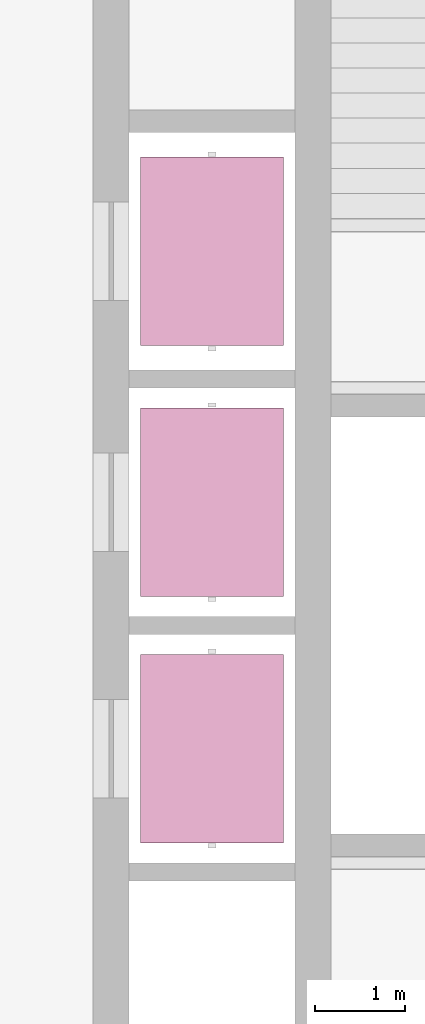
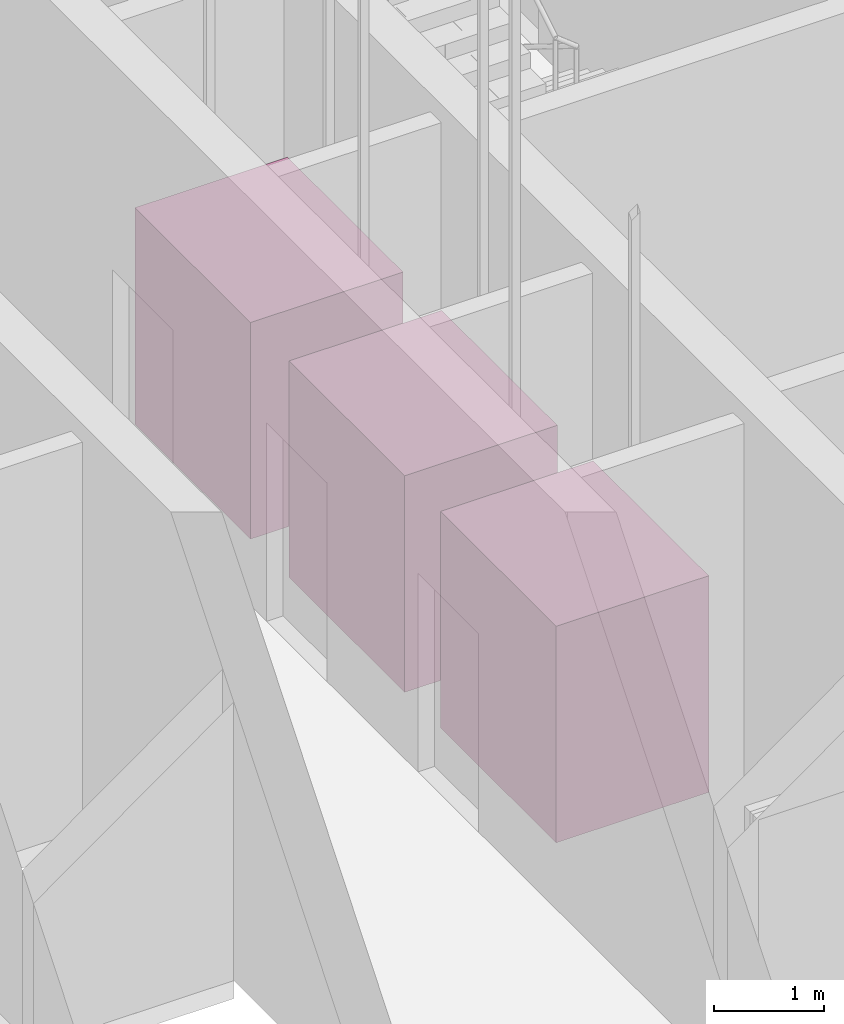
# One storey, part 21 of 27: 3 transport elements.
"""IFC4 building model written with IfcOpenShell, lengths in metres."""

from ifc_helpers import new_model, si_unit, direction, frame, origin, origin_2d, place, context, subcontext, project, spatial, rectangle, extrude, material, type_object, element, save


model = new_model("IFC4")

# Units and contexts
model_context = context("Model", 3, precision=1e-05, world=origin(), true_north=direction((0.0, 1.0)))
body_context = subcontext(model_context, "Body", "Model", "MODEL_VIEW")
ifc_project = project(units=[si_unit("LENGTHUNIT", "METRE"), si_unit("AREAUNIT", "SQUARE_METRE"), si_unit("VOLUMEUNIT", "CUBIC_METRE"), si_unit("PLANEANGLEUNIT", "RADIAN"), si_unit("MASSUNIT", "GRAM", prefix="KILO")], contexts=[model_context])

# Site, building, storey
site_placement = place(None, origin())
site = spatial("IfcSite", under=ifc_project, at=site_placement, CompositionType="ELEMENT")
building_placement = place(site_placement, origin())
building = spatial("IfcBuilding", under=site, at=building_placement, Name="Mizan Broadcast Tower", CompositionType="ELEMENT")
storey_placement = place(building_placement, frame((0.0, 0.0, 113.699951171875)))
storey = spatial("IfcBuildingStorey", under=building, at=storey_placement, Name="L25", CompositionType="ELEMENT", Elevation=113.699951171875)

# Transport elements
ifc_material = material(Name="Stainless steel lift car", Category="steel")
transport_element_type = type_object("IfcTransportElementType", Name="LIFT CAR PASSENGER 2100x1600", PredefinedType="ELEVATOR", material=ifc_material)
for number, where, z_axis, x_axis, name in (
    (1, (-3.324951171875, -1.375, 0.0), (0.0, 0.0, 1.0), (1.0, 0.0, 0.0), "Lift LB1"),
    (2, (-3.324951171875, 1.375, 0.0), (0.0, 0.0, 1.0), (1.0, 0.0, 0.0), "Lift LB2"),
    (3, (-3.324951171875, 4.175048828125, 0.0), (0.0, 0.0, 1.0), (1.0, 0.0, 0.0), "Lift LB3"),
):
    element("IfcTransportElement", number, at=place(storey_placement, frame(where, z_axis=z_axis, x_axis=x_axis)), inside=storey, type_object=transport_element_type, Name=name, PredefinedType="ELEVATOR", context=body_context, shape_type="SweptSolid", body=[
        extrude(rectangle(XDim=1.60009765625, YDim=2.10009765625, at=origin_2d()), origin(), (0.0, 0.0, 1.0), 2.39990234375),
    ])

save(model, "model.ifc")
